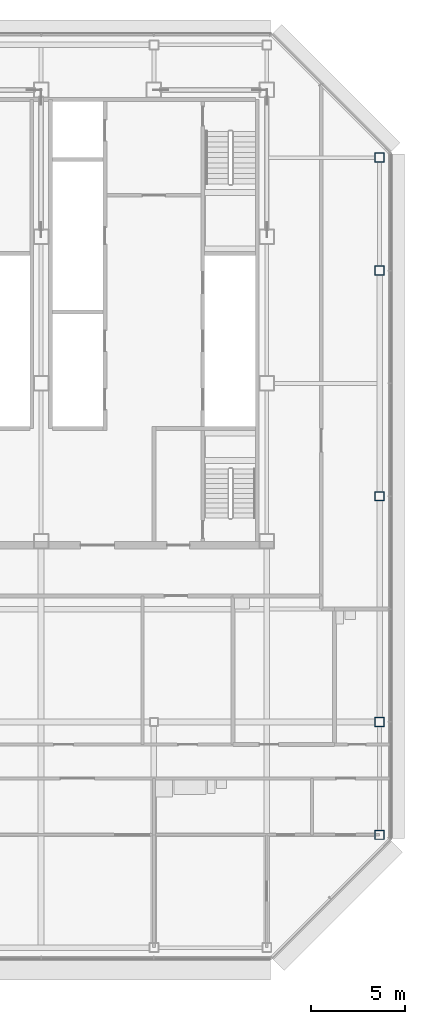
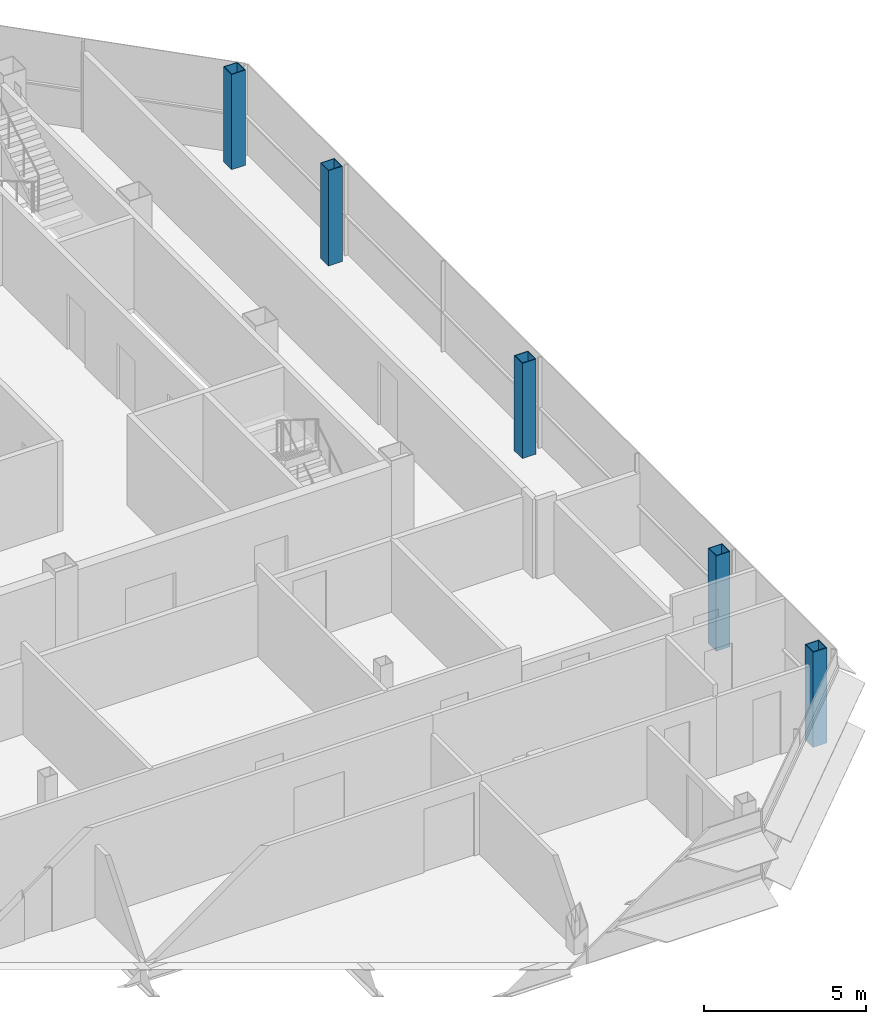
# One storey, part 3 of 27: 5 columns.
"""IFC4 building model written with IfcOpenShell, lengths in metres."""

from ifc_helpers import new_model, si_unit, direction, frame, origin, origin_2d, place, context, subcontext, project, spatial, hollow_rectangle, extrude, material, material_profile, profile_set, type_object, element, save


model = new_model("IFC4")

# Units and contexts
model_context = context("Model", 3, precision=1e-05, world=origin(), true_north=direction((0.0, 1.0)))
body_context = subcontext(model_context, "Body", "Model", "MODEL_VIEW")
ifc_project = project(units=[si_unit("LENGTHUNIT", "METRE"), si_unit("AREAUNIT", "SQUARE_METRE"), si_unit("VOLUMEUNIT", "CUBIC_METRE"), si_unit("PLANEANGLEUNIT", "RADIAN"), si_unit("MASSUNIT", "GRAM", prefix="KILO")], contexts=[model_context])

# Site, building, storey
site_placement = place(None, origin())
site = spatial("IfcSite", under=ifc_project, at=site_placement, CompositionType="ELEMENT")
building_placement = place(site_placement, origin())
building = spatial("IfcBuilding", under=site, at=building_placement, Name="Sorahane Residences", CompositionType="ELEMENT")
storey_placement = place(building_placement, frame((0.0, 0.0, 316.0)))
storey = spatial("IfcBuildingStorey", under=building, at=storey_placement, Name="L75", CompositionType="ELEMENT", Elevation=316.0)

# Columns
ifc_material = material(Name="Steel Q355B", Category="steel")
ifc_material_profile = material_profile(ifc_material, hollow_rectangle(XDim=0.5, YDim=0.5, WallThickness=0.02490234375, at=origin_2d()), Name="BOX 500x500x25")
ifc_profile_set = profile_set([ifc_material_profile], Name="Steel Q355B")
column_type = type_object("IfcColumnType", Name="Steel box column BOX 500x500x25 Q355B", PredefinedType="COLUMN", material=ifc_profile_set)
for number, where, z_axis, x_axis, name in (
    (1, (48.0, 6.0, 0.0), (0.0, 0.0, 1.0), (1.0, 0.0, 0.0), "Column L75 48/6"),
    (2, (48.0, 12.0, 0.0), (0.0, 0.0, 1.0), (1.0, 0.0, 0.0), "Column L75 48/12"),
    (3, (48.0, 24.0, 0.0), (0.0, 0.0, 1.0), (1.0, 0.0, 0.0), "Column L75 48/24"),
    (4, (48.0, 36.0, 0.0), (0.0, 0.0, 1.0), (1.0, 0.0, 0.0), "Column L75 48/36"),
    (5, (48.0, 42.0, 0.0), (0.0, 0.0, 1.0), (1.0, 0.0, 0.0), "Column L75 48/42"),
):
    element("IfcColumn", number, at=place(storey_placement, frame(where, z_axis=z_axis, x_axis=x_axis)), inside=storey, type_object=column_type, Name=name, PredefinedType="COLUMN", context=body_context, shape_type="SweptSolid", body=[
        extrude(hollow_rectangle(XDim=0.5, YDim=0.5, WallThickness=0.02490234375, at=origin_2d()), origin(), (0.0, 0.0, 1.0), 3.60009765625),
    ])

save(model, "model.ifc")
